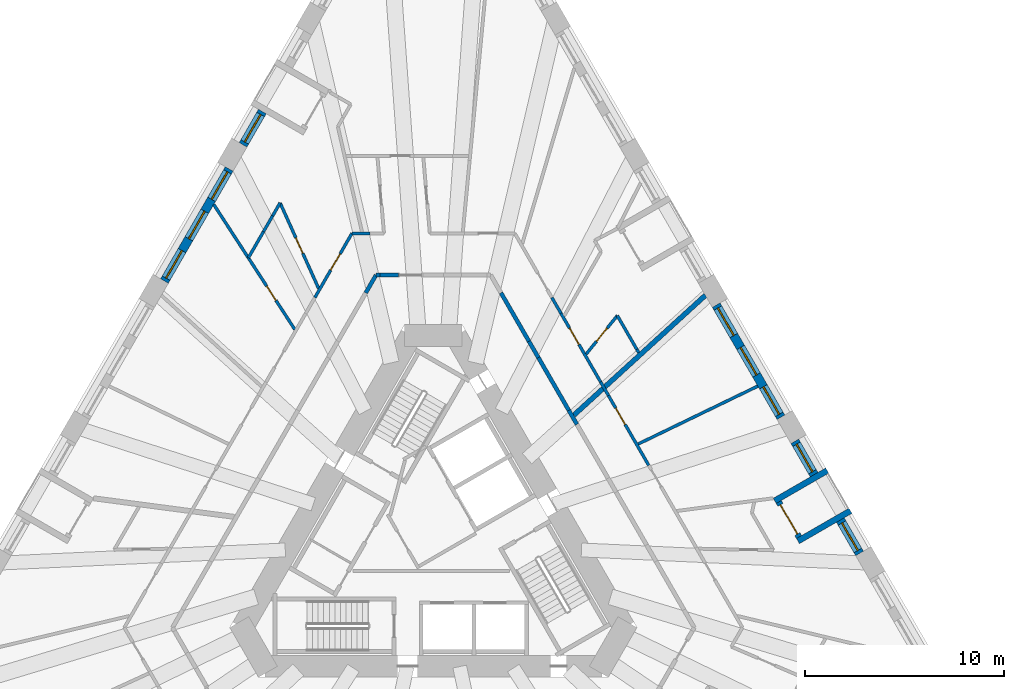
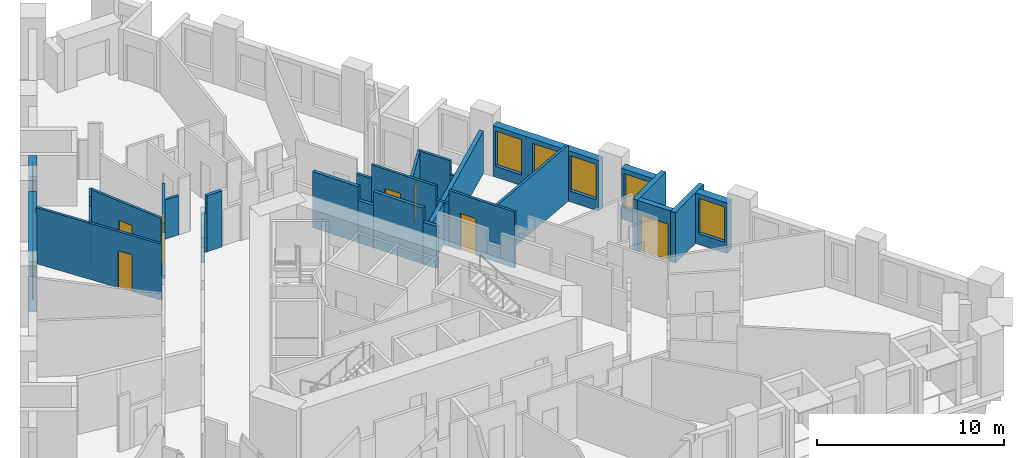
# One storey, part 8 of 14: 31 walls, 9 windows, 7 doors, 16 openings.
"""IFC4 building model written with IfcOpenShell, lengths in metres."""

import ifcopenshell
import ifcopenshell.guid

model = None  # the IFC model being written
_history = None  # IfcOwnerHistory: only IFC2X3 demands one
_inside = {}  # id of a spatial element -> (the spatial element, [elements in it])
_under = {}  # id of a project, library or spatial element -> (it, [spatial elements below it])
_declared = {}  # id of a project -> (the project, [libraries it declares])
_typed = {}  # id of a type object -> (the type object, [elements of that type])
_made_of = {}  # id of a material, layer set ... -> (it, [elements and type objects made of it])


def new_model(schema):
    """Start an empty IFC model of exactly this schema.

    Asked for "IFC4X3", IfcOpenShell would pick the latest addendum, in which some entities
    have other attributes; the version numbers below select the first issue.
    IFC2X3 requires an IfcOwnerHistory on every rooted entity: one is made here for all.
    """
    global model, _history
    if schema == "IFC4X3":
        model = ifcopenshell.file(schema_version=(4, 3, 0, 0))
    else:
        model = ifcopenshell.file(schema=schema)
    _inside.clear()
    _under.clear()
    _declared.clear()
    _typed.clear()
    _made_of.clear()
    _history = None
    if model.schema == "IFC2X3":
        org = make("IfcOrganization", Name="unknown")
        user = make(
            "IfcPersonAndOrganization",
            ThePerson=make("IfcPerson", FamilyName="unknown"),
            TheOrganization=org,
        )
        app = make(
            "IfcApplication",
            ApplicationDeveloper=org,
            Version="unknown",
            ApplicationFullName="unknown",
            ApplicationIdentifier="unknown",
        )
        _history = make(
            "IfcOwnerHistory",
            OwningUser=user,
            OwningApplication=app,
            ChangeAction="ADDED",
            CreationDate=0,
        )
    return model


def make(cls, **values):
    """One entity of the class cls with the attributes given. An attribute that is None is left unset."""
    return model.create_entity(
        cls, **{name: value for name, value in values.items() if value is not None}
    )


def rooted(cls, **values):
    """An entity with a GlobalId (a new one), such as an element, a storey or a relation."""
    return make(cls, GlobalId=ifcopenshell.guid.new(), OwnerHistory=_history, **values)


def si_unit(unit_type, name, prefix=None):
    """IfcSIUnit, for example si_unit("LENGTHUNIT", "METRE", prefix="MILLI")."""
    return make("IfcSIUnit", UnitType=unit_type, Prefix=prefix, Name=name)


def assignment(units):
    """IfcUnitAssignment: the units of a project."""
    return None if units is None else make("IfcUnitAssignment", Units=units)


def point(xyz):
    """IfcCartesianPoint."""
    return None if xyz is None else make("IfcCartesianPoint", Coordinates=xyz)


def direction(xyz):
    """IfcDirection."""
    return None if xyz is None else make("IfcDirection", DirectionRatios=xyz)


def frame(location, z_axis=None, x_axis=None):
    """IfcAxis2Placement3D, a coordinate frame: its origin and axes. An axis left out is left unset."""
    return make(
        "IfcAxis2Placement3D",
        Location=point(location),
        Axis=direction(z_axis),
        RefDirection=direction(x_axis),
    )


def frame_2d(location, x_axis=None):
    """IfcAxis2Placement2D, a coordinate frame in the plane: its origin and x axis."""
    return make(
        "IfcAxis2Placement2D", Location=point(location), RefDirection=direction(x_axis)
    )


def origin():
    """The frame at (0, 0, 0) with its axes left unset."""
    return frame((0.0, 0.0, 0.0))


def place(relative_to, where):
    """IfcLocalPlacement: puts the frame where relative to a parent placement (None: the world)."""
    return make(
        "IfcLocalPlacement", PlacementRelTo=relative_to, RelativePlacement=where
    )


def context(
    kind, dimensions, precision=None, world=None, true_north=None, identifier=None
):
    """IfcGeometricRepresentationContext, for example the 3D "Model" context."""
    return make(
        "IfcGeometricRepresentationContext",
        ContextIdentifier=identifier,
        ContextType=kind,
        CoordinateSpaceDimension=dimensions,
        Precision=precision,
        WorldCoordinateSystem=world,
        TrueNorth=true_north,
    )


def subcontext(parent, identifier, kind, view, scale=None):
    """IfcGeometricRepresentationSubContext, for example "Body" below "Model"."""
    return make(
        "IfcGeometricRepresentationSubContext",
        ContextIdentifier=identifier,
        ContextType=kind,
        ParentContext=parent,
        TargetScale=scale,
        TargetView=view,
    )


def project(units=None, contexts=None):
    """IfcProject with its units and contexts."""
    return rooted(
        "IfcProject",
        Name="project",
        RepresentationContexts=contexts,
        UnitsInContext=assignment(units),
    )


def spatial(cls, under=None, at=None, **own):
    """A site, building, storey or space (cls), placed at a placement, below another one or the project."""
    s = rooted(cls, ObjectPlacement=at, **own)
    if under is not None:
        _under.setdefault(under.id(), (under, []))[1].append(s)
    return s


def profile(cls, at=None, kind="AREA", **sizes):
    """A parametric profile (cls). Its sizes go by their IFC names, for example OverallWidth=200.0."""
    return make(cls, ProfileType=kind, Position=at, **sizes)


def rectangle(**sizes):
    """IfcRectangleProfileDef."""
    return profile("IfcRectangleProfileDef", **sizes)


def extrude(swept, where, along, depth):
    """IfcExtrudedAreaSolid: the profile swept, set in the frame where, extruded along a direction by depth."""
    return make(
        "IfcExtrudedAreaSolid",
        SweptArea=swept,
        Position=where,
        ExtrudedDirection=direction(along),
        Depth=depth,
    )


def shape(context_of_items, identifier, shape_type, items):
    """IfcShapeRepresentation: the items that make up one representation, for example the "Body"."""
    return make(
        "IfcShapeRepresentation",
        ContextOfItems=context_of_items,
        RepresentationIdentifier=identifier,
        RepresentationType=shape_type,
        Items=items,
    )


def material(Name=None, Category=None):
    """IfcMaterial."""
    return make("IfcMaterial", Name=Name, Category=Category)


def layer(
    of_material, thickness, ventilated=None, Name=None, Category=None, Priority=None
):
    """IfcMaterialLayer: one layer of a wall or slab, of a material (None: an air gap)."""
    return make(
        "IfcMaterialLayer",
        Material=of_material,
        LayerThickness=thickness,
        IsVentilated=ventilated,
        Name=Name,
        Category=Category,
        Priority=Priority,
    )


def layer_set(layers, Name=None):
    """IfcMaterialLayerSet."""
    return make("IfcMaterialLayerSet", MaterialLayers=layers, LayerSetName=Name)


def made_of(thing, what):
    """Note that an element or type object is made of a material, layer set ...; save() writes the relation."""
    if what is not None:
        _made_of.setdefault(what.id(), (what, []))[1].append(thing)
    return thing


def type_object(cls, material=None, **own):
    """A type object (cls), such as IfcWallType, which elements share."""
    return made_of(rooted(cls, **own), material)


def element(
    cls,
    number,
    at=None,
    inside=None,
    cuts=None,
    type_object=None,
    material=None,
    context=None,
    identifier="Body",
    shape_type=None,
    held_by="IfcProductDefinitionShape",
    body=None,
    shapes=None,
    **own,
):
    """One element of the class cls, such as IfcWall. Its Tag is "e" and its number.

    at: its placement. inside: the storey or other place that contains it. cuts: it is an
    opening in that element (IfcRelVoidsElement). A single representation is given by context,
    identifier, shape_type and body (its items); several are given by shapes. held_by: the class
    of the entity that holds the representations. save() writes the other relations.
    """
    e = rooted(cls, Tag="e%d" % number, ObjectPlacement=at, **own)
    if body is not None:
        shapes = [shape(context, identifier, shape_type, body)]
    if shapes is not None:
        e.Representation = make(held_by, Representations=shapes)
    if inside is not None:
        _inside.setdefault(inside.id(), (inside, []))[1].append(e)
    if cuts is not None:
        rooted(
            "IfcRelVoidsElement", RelatingBuildingElement=cuts, RelatedOpeningElement=e
        )
    if type_object is not None:
        _typed.setdefault(type_object.id(), (type_object, []))[1].append(e)
    return made_of(e, material)


def fill(opening, filler):
    """IfcRelFillsElement: the door or window that sits in an opening."""
    return rooted(
        "IfcRelFillsElement",
        RelatingOpeningElement=opening,
        RelatedBuildingElement=filler,
    )


def aggregate(whole, parts):
    """IfcRelAggregates: a whole, such as a stair, and the parts it consists of."""
    return rooted("IfcRelAggregates", RelatingObject=whole, RelatedObjects=parts)


def save(model, path):
    """Write the relations noted so far, then the file.

    IfcRelAggregates (storeys below a building ...), IfcRelContainedInSpatialStructure (elements
    in a storey), IfcRelDefinesByType, IfcRelAssociatesMaterial and IfcRelDeclares: one each for
    every whole, place, type object, material and project.
    """
    for whole, parts in _under.values():
        aggregate(whole, parts)
    for where, things in _inside.values():
        rooted(
            "IfcRelContainedInSpatialStructure",
            RelatedElements=things,
            RelatingStructure=where,
        )
    for kind, things in _typed.values():
        rooted("IfcRelDefinesByType", RelatedObjects=things, RelatingType=kind)
    for what, things in _made_of.values():
        rooted("IfcRelAssociatesMaterial", RelatedObjects=things, RelatingMaterial=what)
    for by, libraries in _declared.values():
        rooted("IfcRelDeclares", RelatingContext=by, RelatedDefinitions=libraries)
    model.write(path)


model = new_model("IFC4")

# Units and contexts
model_context = context("Model", 3, precision=1e-05, world=origin(), true_north=direction((0.0, 1.0)))
body_context = subcontext(model_context, "Body", "Model", "MODEL_VIEW")
ifc_project = project(units=[si_unit("LENGTHUNIT", "METRE"), si_unit("AREAUNIT", "SQUARE_METRE"), si_unit("VOLUMEUNIT", "CUBIC_METRE"), si_unit("PLANEANGLEUNIT", "RADIAN"), si_unit("MASSUNIT", "GRAM", prefix="KILO")], contexts=[model_context])

# Site, building, storey
site_placement = place(None, origin())
site = spatial("IfcSite", under=ifc_project, at=site_placement, CompositionType="ELEMENT")
building_placement = place(site_placement, origin())
building = spatial("IfcBuilding", under=site, at=building_placement, Name="Tramontana Tower", CompositionType="ELEMENT")
storey_placement = place(building_placement, frame((0.0, 0.0, 30.0)))
storey = spatial("IfcBuildingStorey", under=building, at=storey_placement, Name="L05", CompositionType="ELEMENT", Elevation=30.0)

# Walls
ifc_material_1 = material(Name="Blockwork", Category="masonry")
ifc_layer_1 = layer(ifc_material_1, 0.199951171875)
ifc_layer_set_1 = layer_set([ifc_layer_1], Name="ENTRY WALL 200")
wall_type_1 = type_object("IfcWallType", Name="ENTRY WALL 200", PredefinedType="SOLIDWALL", material=ifc_layer_set_1)
wall_1_placement = place(storey_placement, frame((3.404296875, 12.603515625, 0.0), z_axis=(0.0, 0.0, 1.0), x_axis=(0.500000186108, -0.866025296335, 0.0)))
element("IfcWall", 1, at=wall_1_placement, inside=storey, type_object=wall_type_1, Name="Wall v01-ew0-1", PredefinedType="SOLIDWALL", context=body_context, shape_type="SweptSolid", body=[
    extrude(rectangle(XDim=2.8154296875, YDim=0.199951171875, at=frame_2d((1.40771484375, 0.0))), origin(), (0.0, 0.0, 1.0), 3.64990234375),
])
wall_2_placement = place(storey_placement, frame((4.81201171875, 10.165283203125, 0.0), z_axis=(0.0, 0.0, 1.0), x_axis=(0.500174821557, -0.865924446982, 0.0)))
element("IfcWall", 2, at=wall_2_placement, inside=storey, type_object=wall_type_1, Name="Wall v01-ew0-2", PredefinedType="SOLIDWALL", context=body_context, shape_type="SweptSolid", body=[
    extrude(rectangle(XDim=0.949951171875, YDim=0.199951171875, at=frame_2d((0.47509765625, 0.0))), origin(), (0.0, 0.0, 1.0), 2.75),
])
wall_3_placement = place(storey_placement, frame((5.287109375, 9.3427734375, 0.0), z_axis=(0.0, 0.0, 1.0), x_axis=(0.499952348839, -0.866052913447, 0.0)))
element("IfcWall", 3, at=wall_3_placement, inside=storey, type_object=wall_type_1, Name="Wall v01-ew0-3", PredefinedType="SOLIDWALL", context=body_context, shape_type="SweptSolid", body=[
    extrude(rectangle(XDim=3.064208984375, YDim=0.199951171875, at=frame_2d((1.5322265625, 0.0))), origin(), (0.0, 0.0, 1.0), 3.64990234375),
])
wall_4_placement = place(storey_placement, frame((6.819091796875, 6.68896484375, 0.0), z_axis=(0.0, 0.0, 1.0), x_axis=(0.500118501653, -0.865956976012, 0.0)))
element("IfcWall", 4, at=wall_4_placement, inside=storey, type_object=wall_type_1, Name="Wall v01-ew0-4", PredefinedType="SOLIDWALL", context=body_context, shape_type="SweptSolid", body=[
    extrude(rectangle(XDim=0.818115234375, YDim=0.199951171875, at=frame_2d((0.4091796875, 0.0))), origin(), (0.0, 0.0, 1.0), 2.75),
])
wall_5_placement = place(storey_placement, frame((-3.404296875, 12.603515625, 0.0), z_axis=(0.0, 0.0, 1.0), x_axis=(0.499994660107, 0.866028486751, 0.0)))
element("IfcWall", 5, at=wall_5_placement, inside=storey, type_object=wall_type_1, Name="Wall v01-ew4-10", PredefinedType="SOLIDWALL", context=body_context, shape_type="SweptSolid", body=[
    extrude(rectangle(XDim=1.03515625, YDim=0.199951171875, at=frame_2d((0.517578125, 0.0))), origin(), (0.0, 0.0, 1.0), 2.550048828125),
])
wall_6_placement = place(storey_placement, frame((-2.88671875, 13.5, 0.0), z_axis=(0.0, 0.0, 1.0), x_axis=(1.0, 0.0, 0.0)))
element("IfcWall", 6, at=wall_6_placement, inside=storey, type_object=wall_type_1, Name="Wall v01-ew5-0", PredefinedType="SOLIDWALL", context=body_context, shape_type="SweptSolid", body=[
    extrude(rectangle(XDim=0.197265625, YDim=0.199951171875, at=frame_2d((0.0986328125, 0.0))), origin(), (0.0, 0.0, 1.0), 2.550048828125),
])
wall_7_placement = place(storey_placement, frame((-2.689453125, 13.5, 0.0), z_axis=(0.0, 0.0, 1.0), x_axis=(1.0, 0.0, 0.0)))
element("IfcWall", 7, at=wall_7_placement, inside=storey, type_object=wall_type_1, Name="Wall v01-ew5-1", PredefinedType="SOLIDWALL", context=body_context, shape_type="SweptSolid", body=[
    extrude(rectangle(XDim=0.936279296875, YDim=0.199951171875, at=frame_2d((0.46826171875, 0.0))), origin(), (0.0, 0.0, 1.0), 3.64990234375),
])

# Wall, opening, window
ifc_material_2 = material(Name="Precast concrete 60 MPa", Category="concrete")
ifc_layer_2 = layer(ifc_material_2, 0.449951171875)
ifc_layer_set_2 = layer_set([ifc_layer_2], Name="Precast concrete 60 MPa, 450 mm")
wall_type_2 = type_object("IfcWallType", Name="EW1 Stone-faced precast wall 450", PredefinedType="SOLIDWALL", material=ifc_layer_set_2)
wall_8_placement = place(storey_placement, frame((-8.61181640625, 21.73388671875, 0.0), z_axis=(0.0, 0.0, 1.0), x_axis=(-0.500038474733, -0.866003189247, 0.0)))
wall_8 = element("IfcWall", 8, at=wall_8_placement, inside=storey, type_object=wall_type_2, Name="External wall L05 face 0 bay 2", PredefinedType="SOLIDWALL", context=body_context, shape_type="SweptSolid", body=[
    extrude(rectangle(XDim=1.939208984375, YDim=0.449951171875, at=frame_2d((0.9697265625, 0.0))), origin(), (0.0, 0.0, 1.0), 3.300048828125),
])
opening_1_placement = place(wall_8_placement, frame((0.169677734375, 0.0, 0.699951171875)))
opening_1 = element("IfcOpeningElement", 9, at=opening_1_placement, cuts=wall_8, Name="Opening M1", PredefinedType="OPENING", context=body_context, shape_type="SweptSolid", body=[
    extrude(rectangle(XDim=1.60009765625, YDim=2.300048828125, at=frame_2d((0.800048828125, 1.14990234375))), frame((0.0, 0.23486328125, 0.0), z_axis=(0.0, -1.0, 0.0), x_axis=(1.0, 0.0, 0.0)), (0.0, 0.0, 1.0), 0.469970703125),
])
ifc_material_3 = material(Name="Aluminum frame, double glazing unit", Category="aluminium")
window_type = type_object("IfcWindowType", Name="M1 Window 1.6 x 2.3", PartitioningType="SINGLE_PANEL", PredefinedType="WINDOW", material=ifc_material_3)
window_1_placement = place(opening_1_placement, origin())
window_1 = element("IfcWindow", 10, at=window_1_placement, inside=storey, type_object=window_type, Name="Window M1 L05 face 0 module 6", OverallHeight=2.300048828125, OverallWidth=1.60009765625, PartitioningType="SINGLE_PANEL", PredefinedType="WINDOW", context=body_context, shape_type="SweptSolid", body=[
    extrude(rectangle(XDim=1.60009765625, YDim=2.300048828125, at=frame_2d((0.800048828125, 1.14990234375))), frame((0.0, 0.030029296875, 0.0), z_axis=(0.0, -1.0, 0.0), x_axis=(1.0, 0.0, 0.0)), (0.0, 0.0, 1.0), 0.06005859375),
])
fill(opening_1, window_1)

# Wall, openings, windows
wall_9_placement = place(storey_placement, frame((-10.281494140625, 18.842041015625, 0.0), z_axis=(0.0, 0.0, 1.0), x_axis=(-0.500002371706, -0.866024034475, 0.0)))
wall_9 = element("IfcWall", 11, at=wall_9_placement, inside=storey, type_object=wall_type_2, Name="External wall L05 face 0 bay 3", PredefinedType="SOLIDWALL", context=body_context, shape_type="SweptSolid", body=[
    extrude(rectangle(XDim=6.51806640625, YDim=0.449951171875, at=frame_2d((3.259033203125, 0.0))), origin(), (0.0, 0.0, 1.0), 3.300048828125),
])
opening_2_placement = place(wall_9_placement, frame((0.169677734375, 0.0, 0.699951171875)))
opening_2 = element("IfcOpeningElement", 12, at=opening_2_placement, cuts=wall_9, Name="Opening M1", PredefinedType="OPENING", context=body_context, shape_type="SweptSolid", body=[
    extrude(rectangle(XDim=1.60009765625, YDim=2.300048828125, at=frame_2d((0.800048828125, 1.14990234375))), frame((0.0, 0.23486328125, 0.0), z_axis=(0.0, -1.0, 0.0), x_axis=(1.0, 0.0, 0.0)), (0.0, 0.0, 1.0), 0.469970703125),
])
opening_3_placement = place(wall_9_placement, frame((2.458984375, 0.0, 0.699951171875)))
opening_3 = element("IfcOpeningElement", 13, at=opening_3_placement, cuts=wall_9, Name="Opening M1", PredefinedType="OPENING", context=body_context, shape_type="SweptSolid", body=[
    extrude(rectangle(XDim=1.60009765625, YDim=2.300048828125, at=frame_2d((0.800048828125, 1.14990234375))), frame((0.0, 0.23486328125, 0.0), z_axis=(0.0, -1.0, 0.0), x_axis=(1.0, 0.0, 0.0)), (0.0, 0.0, 1.0), 0.469970703125),
])
opening_4_placement = place(wall_9_placement, frame((4.748291015625, 0.0, 0.699951171875)))
opening_4 = element("IfcOpeningElement", 14, at=opening_4_placement, cuts=wall_9, Name="Opening M1", PredefinedType="OPENING", context=body_context, shape_type="SweptSolid", body=[
    extrude(rectangle(XDim=1.60009765625, YDim=2.300048828125, at=frame_2d((0.800048828125, 1.14990234375))), frame((0.0, 0.23486328125, 0.0), z_axis=(0.0, -1.0, 0.0), x_axis=(1.0, 0.0, 0.0)), (0.0, 0.0, 1.0), 0.469970703125),
])
window_2_placement = place(opening_2_placement, origin())
window_2 = element("IfcWindow", 15, at=window_2_placement, inside=storey, type_object=window_type, Name="Window M1 L05 face 0 module 7", OverallHeight=2.300048828125, OverallWidth=1.60009765625, PartitioningType="SINGLE_PANEL", PredefinedType="WINDOW", context=body_context, shape_type="SweptSolid", body=[
    extrude(rectangle(XDim=1.60009765625, YDim=2.300048828125, at=frame_2d((0.800048828125, 1.14990234375))), frame((0.0, 0.030029296875, 0.0), z_axis=(0.0, -1.0, 0.0), x_axis=(1.0, 0.0, 0.0)), (0.0, 0.0, 1.0), 0.06005859375),
])
fill(opening_2, window_2)
window_3_placement = place(opening_3_placement, origin())
window_3 = element("IfcWindow", 16, at=window_3_placement, inside=storey, type_object=window_type, Name="Window M1 L05 face 0 module 8", OverallHeight=2.300048828125, OverallWidth=1.60009765625, PartitioningType="SINGLE_PANEL", PredefinedType="WINDOW", context=body_context, shape_type="SweptSolid", body=[
    extrude(rectangle(XDim=1.60009765625, YDim=2.300048828125, at=frame_2d((0.800048828125, 1.14990234375))), frame((0.0, 0.030029296875, 0.0), z_axis=(0.0, -1.0, 0.0), x_axis=(1.0, 0.0, 0.0)), (0.0, 0.0, 1.0), 0.06005859375),
])
fill(opening_3, window_3)
window_4_placement = place(opening_4_placement, origin())
window_4 = element("IfcWindow", 17, at=window_4_placement, inside=storey, type_object=window_type, Name="Window M1 L05 face 0 module 9", OverallHeight=2.300048828125, OverallWidth=1.60009765625, PartitioningType="SINGLE_PANEL", PredefinedType="WINDOW", context=body_context, shape_type="SweptSolid", body=[
    extrude(rectangle(XDim=1.60009765625, YDim=2.300048828125, at=frame_2d((0.800048828125, 1.14990234375))), frame((0.0, 0.030029296875, 0.0), z_axis=(0.0, -1.0, 0.0), x_axis=(1.0, 0.0, 0.0)), (0.0, 0.0, 1.0), 0.06005859375),
])
fill(opening_4, window_4)

# Wall, opening, window
wall_10_placement = place(storey_placement, frame((21.45849609375, -0.51708984375, 0.0), z_axis=(0.0, 0.0, 1.0), x_axis=(-0.49998396455, 0.866034661658, 0.0)))
wall_10 = element("IfcWall", 18, at=wall_10_placement, inside=storey, type_object=wall_type_2, Name="External wall L05 face 2 bay 3", PredefinedType="SOLIDWALL", context=body_context, shape_type="SweptSolid", body=[
    extrude(rectangle(XDim=1.939453125, YDim=0.449951171875, at=frame_2d((0.9697265625, 0.0))), origin(), (0.0, 0.0, 1.0), 3.300048828125),
])
opening_5_placement = place(wall_10_placement, frame((0.169677734375, 0.0, 0.699951171875)))
opening_5 = element("IfcOpeningElement", 19, at=opening_5_placement, cuts=wall_10, Name="Opening M1", PredefinedType="OPENING", context=body_context, shape_type="SweptSolid", body=[
    extrude(rectangle(XDim=1.60009765625, YDim=2.300048828125, at=frame_2d((0.800048828125, 1.14990234375))), frame((0.0, 0.23486328125, 0.0), z_axis=(0.0, -1.0, 0.0), x_axis=(1.0, 0.0, 0.0)), (0.0, 0.0, 1.0), 0.469970703125),
])
window_5_placement = place(opening_5_placement, origin())
window_5 = element("IfcWindow", 20, at=window_5_placement, inside=storey, type_object=window_type, Name="Window M1 L05 face 2 module 7", OverallHeight=2.300048828125, OverallWidth=1.60009765625, PartitioningType="SINGLE_PANEL", PredefinedType="WINDOW", context=body_context, shape_type="SweptSolid", body=[
    extrude(rectangle(XDim=1.60009765625, YDim=2.300048828125, at=frame_2d((0.800048828125, 1.14990234375))), frame((0.0, 0.030029296875, 0.0), z_axis=(0.0, -1.0, 0.0), x_axis=(1.0, 0.0, 0.0)), (0.0, 0.0, 1.0), 0.06005859375),
])
fill(opening_5, window_5)

wall_11_placement = place(storey_placement, frame((19.1689453125, 3.4482421875, 0.0), z_axis=(0.0, 0.0, 1.0), x_axis=(-0.499944052521, 0.866057702667, 0.0)))
wall_11 = element("IfcWall", 21, at=wall_11_placement, inside=storey, type_object=wall_type_2, Name="External wall L05 face 2 bay 3", PredefinedType="SOLIDWALL", context=body_context, shape_type="SweptSolid", body=[
    extrude(rectangle(XDim=1.939208984375, YDim=0.449951171875, at=frame_2d((0.9697265625, 0.0))), origin(), (0.0, 0.0, 1.0), 3.300048828125),
])
opening_6_placement = place(wall_11_placement, frame((0.169677734375, 0.0, 0.699951171875)))
opening_6 = element("IfcOpeningElement", 22, at=opening_6_placement, cuts=wall_11, Name="Opening M1", PredefinedType="OPENING", context=body_context, shape_type="SweptSolid", body=[
    extrude(rectangle(XDim=1.60009765625, YDim=2.300048828125, at=frame_2d((0.800048828125, 1.14990234375))), frame((0.0, 0.23486328125, 0.0), z_axis=(0.0, -1.0, 0.0), x_axis=(1.0, 0.0, 0.0)), (0.0, 0.0, 1.0), 0.469970703125),
])
window_6_placement = place(opening_6_placement, origin())
window_6 = element("IfcWindow", 23, at=window_6_placement, inside=storey, type_object=window_type, Name="Window M1 L05 face 2 module 9", OverallHeight=2.300048828125, OverallWidth=1.60009765625, PartitioningType="SINGLE_PANEL", PredefinedType="WINDOW", context=body_context, shape_type="SweptSolid", body=[
    extrude(rectangle(XDim=1.60009765625, YDim=2.300048828125, at=frame_2d((0.800048828125, 1.14990234375))), frame((0.0, 0.030029296875, 0.0), z_axis=(0.0, -1.0, 0.0), x_axis=(1.0, 0.0, 0.0)), (0.0, 0.0, 1.0), 0.06005859375),
])
fill(opening_6, window_6)

# Wall, openings, windows
wall_12_placement = place(storey_placement, frame((17.49951171875, 6.340087890625, 0.0), z_axis=(0.0, 0.0, 1.0), x_axis=(-0.500002371706, 0.866024034475, 0.0)))
wall_12 = element("IfcWall", 24, at=wall_12_placement, inside=storey, type_object=wall_type_2, Name="External wall L05 face 2 bay 4", PredefinedType="SOLIDWALL", context=body_context, shape_type="SweptSolid", body=[
    extrude(rectangle(XDim=6.51806640625, YDim=0.449951171875, at=frame_2d((3.259033203125, 0.0))), origin(), (0.0, 0.0, 1.0), 3.300048828125),
])
opening_7_placement = place(wall_12_placement, frame((0.169677734375, 0.0, 0.699951171875)))
opening_7 = element("IfcOpeningElement", 25, at=opening_7_placement, cuts=wall_12, Name="Opening M1", PredefinedType="OPENING", context=body_context, shape_type="SweptSolid", body=[
    extrude(rectangle(XDim=1.60009765625, YDim=2.300048828125, at=frame_2d((0.800048828125, 1.14990234375))), frame((0.0, 0.23486328125, 0.0), z_axis=(0.0, -1.0, 0.0), x_axis=(1.0, 0.0, 0.0)), (0.0, 0.0, 1.0), 0.469970703125),
])
opening_8_placement = place(wall_12_placement, frame((2.458984375, 0.0, 0.699951171875)))
opening_8 = element("IfcOpeningElement", 26, at=opening_8_placement, cuts=wall_12, Name="Opening M1", PredefinedType="OPENING", context=body_context, shape_type="SweptSolid", body=[
    extrude(rectangle(XDim=1.60009765625, YDim=2.300048828125, at=frame_2d((0.800048828125, 1.14990234375))), frame((0.0, 0.23486328125, 0.0), z_axis=(0.0, -1.0, 0.0), x_axis=(1.0, 0.0, 0.0)), (0.0, 0.0, 1.0), 0.469970703125),
])
opening_9_placement = place(wall_12_placement, frame((4.748291015625, 0.0, 0.699951171875)))
opening_9 = element("IfcOpeningElement", 27, at=opening_9_placement, cuts=wall_12, Name="Opening M1", PredefinedType="OPENING", context=body_context, shape_type="SweptSolid", body=[
    extrude(rectangle(XDim=1.60009765625, YDim=2.300048828125, at=frame_2d((0.800048828125, 1.14990234375))), frame((0.0, 0.23486328125, 0.0), z_axis=(0.0, -1.0, 0.0), x_axis=(1.0, 0.0, 0.0)), (0.0, 0.0, 1.0), 0.469970703125),
])
window_7_placement = place(opening_7_placement, origin())
window_7 = element("IfcWindow", 28, at=window_7_placement, inside=storey, type_object=window_type, Name="Window M1 L05 face 2 module 10", OverallHeight=2.300048828125, OverallWidth=1.60009765625, PartitioningType="SINGLE_PANEL", PredefinedType="WINDOW", context=body_context, shape_type="SweptSolid", body=[
    extrude(rectangle(XDim=1.60009765625, YDim=2.300048828125, at=frame_2d((0.800048828125, 1.14990234375))), frame((0.0, 0.030029296875, 0.0), z_axis=(0.0, -1.0, 0.0), x_axis=(1.0, 0.0, 0.0)), (0.0, 0.0, 1.0), 0.06005859375),
])
fill(opening_7, window_7)
window_8_placement = place(opening_8_placement, origin())
window_8 = element("IfcWindow", 29, at=window_8_placement, inside=storey, type_object=window_type, Name="Window M1 L05 face 2 module 11", OverallHeight=2.300048828125, OverallWidth=1.60009765625, PartitioningType="SINGLE_PANEL", PredefinedType="WINDOW", context=body_context, shape_type="SweptSolid", body=[
    extrude(rectangle(XDim=1.60009765625, YDim=2.300048828125, at=frame_2d((0.800048828125, 1.14990234375))), frame((0.0, 0.030029296875, 0.0), z_axis=(0.0, -1.0, 0.0), x_axis=(1.0, 0.0, 0.0)), (0.0, 0.0, 1.0), 0.06005859375),
])
fill(opening_8, window_8)
window_9_placement = place(opening_9_placement, origin())
window_9 = element("IfcWindow", 30, at=window_9_placement, inside=storey, type_object=window_type, Name="Window M1 L05 face 2 module 12", OverallHeight=2.300048828125, OverallWidth=1.60009765625, PartitioningType="SINGLE_PANEL", PredefinedType="WINDOW", context=body_context, shape_type="SweptSolid", body=[
    extrude(rectangle(XDim=1.60009765625, YDim=2.300048828125, at=frame_2d((0.800048828125, 1.14990234375))), frame((0.0, 0.030029296875, 0.0), z_axis=(0.0, -1.0, 0.0), x_axis=(1.0, 0.0, 0.0)), (0.0, 0.0, 1.0), 0.06005859375),
])
fill(opening_9, window_9)

# Wall, opening, door
ifc_material_4 = material(Name="Precast concrete 60 MPa", Category="concrete")
ifc_layer_3 = layer(ifc_material_4, 0.300048828125)
ifc_layer_set_3 = layer_set([ifc_layer_3], Name="LW1 Stone-faced loggia wall 300")
wall_type_3 = type_object("IfcWallType", Name="LW1 Stone-faced loggia wall 300", PredefinedType="SOLIDWALL", material=ifc_layer_set_3)
wall_13_placement = place(storey_placement, frame((18.411865234375, 0.309814453125, 0.0), z_axis=(0.0, 0.0, 1.0), x_axis=(-0.500040236659, 0.866002171892, 0.0)))
wall_13 = element("IfcWall", 31, at=wall_13_placement, inside=storey, type_object=wall_type_3, Name="Loggia wall L05 G0S2.7", PredefinedType="SOLIDWALL", context=body_context, shape_type="SweptSolid", body=[
    extrude(rectangle(XDim=2.039306640625, YDim=0.300048828125, at=frame_2d((1.01953125, 0.0))), origin(), (0.0, 0.0, 1.0), 3.300048828125),
])
opening_10_placement = place(wall_13_placement, frame((0.169677734375, 0.0, 0.0)))
opening_10 = element("IfcOpeningElement", 32, at=opening_10_placement, cuts=wall_13, Name="Opening BD-0S2-07", PredefinedType="OPENING", context=body_context, shape_type="SweptSolid", body=[
    extrude(rectangle(XDim=1.699951171875, YDim=2.39990234375, at=frame_2d((0.85009765625, 1.199951171875))), frame((0.0, 0.159912109375, 0.0), z_axis=(0.0, -1.0, 0.0), x_axis=(1.0, 0.0, 0.0)), (0.0, 0.0, 1.0), 0.320068359375),
])
ifc_material_5 = material(Name="Aluminum frame, double glazing unit", Category="aluminium")
door_type_1 = type_object("IfcDoorType", Name="BD1 Sliding door 1.7 x 2.4", OperationType="SLIDING_TO_LEFT", PredefinedType="DOOR", material=ifc_material_5)
door_1_placement = place(opening_10_placement, origin())
door_1 = element("IfcDoor", 33, at=door_1_placement, inside=storey, type_object=door_type_1, Name="Loggia door L05 G0S2.7", OperationType="SLIDING_TO_LEFT", OverallHeight=2.39990234375, OverallWidth=1.699951171875, PredefinedType="DOOR", context=body_context, shape_type="SweptSolid", body=[
    extrude(rectangle(XDim=1.699951171875, YDim=2.39990234375, at=frame_2d((0.85009765625, 1.199951171875))), frame((0.0, 0.02490234375, 0.0), z_axis=(0.0, -1.0, 0.0), x_axis=(1.0, 0.0, 0.0)), (0.0, 0.0, 1.0), 0.050048828125),
])
fill(opening_10, door_1)

# Walls
for number, where, z_axis, x_axis, name in (
    (34, (20.998291015625, 1.6298828125, 0.0), (0.0, 0.0, 1.0), (-0.866037623948, -0.499978833458, 0.0), "Loggia return L05 G0S2.7a"),
    (35, (19.82861328125, 3.65576171875, 0.0), (0.0, 0.0, 1.0), (-0.866037623948, -0.499978833458, 0.0), "Loggia return L05 G0S2.7b"),
):
    element("IfcWall", number, at=place(storey_placement, frame(where, z_axis=z_axis, x_axis=x_axis)), inside=storey, type_object=wall_type_3, Name=name, PredefinedType="SOLIDWALL", context=body_context, shape_type="SweptSolid", body=[
        extrude(rectangle(XDim=3.050048828125, YDim=0.300048828125, at=frame_2d((1.52490234375, 0.0))), origin(), (0.0, 0.0, 1.0), 3.300048828125),
    ])

# Wall, opening, door
ifc_material_6 = material(Name="Gypsum board partition")
ifc_layer_4 = layer(ifc_material_6, 0.14990234375)
ifc_layer_set_4 = layer_set([ifc_layer_4], Name="PARTITION 150")
wall_type_4 = type_object("IfcWallType", Name="PARTITION 150", PredefinedType="PARTITIONING", material=ifc_layer_set_4)
wall_14_placement = place(storey_placement, frame((-5.9658203125, 12.366943359375, 0.0), z_axis=(0.0, 0.0, 1.0), x_axis=(0.500007375767, 0.866021145342, 0.0)))
wall_14 = element("IfcWall", 36, at=wall_14_placement, inside=storey, type_object=wall_type_4, Name="Wall v01-pw07-8", PredefinedType="PARTITIONING", context=body_context, shape_type="SweptSolid", body=[
    extrude(rectangle(XDim=3.7333984375, YDim=0.14990234375, at=frame_2d((1.86669921875, 0.0))), origin(), (0.0, 0.0, 1.0), 3.64990234375),
])
opening_11_placement = place(wall_14_placement, frame((1.59228515625, 0.0, 0.0)))
opening_11 = element("IfcOpeningElement", 37, at=opening_11_placement, cuts=wall_14, Name="Opening B0B-07", PredefinedType="OPENING", context=body_context, shape_type="SweptSolid", body=[
    extrude(rectangle(XDim=0.949951171875, YDim=2.39990234375, at=frame_2d((0.47509765625, 1.199951171875))), frame((0.0, 0.0849609375, 0.0), z_axis=(0.0, -1.0, 0.0), x_axis=(1.0, 0.0, 0.0)), (0.0, 0.0, 1.0), 0.169921875),
])
ifc_material_7 = material(Name="Painted timber", Category="wood")
door_type_2 = type_object("IfcDoorType", Name="DOOR ROOM 950", OperationType="SINGLE_SWING_LEFT", PredefinedType="DOOR", material=ifc_material_7)
door_2_placement = place(opening_11_placement, origin())
door_2 = element("IfcDoor", 38, at=door_2_placement, inside=storey, type_object=door_type_2, Name="Door B0B-07", OperationType="SINGLE_SWING_LEFT", OverallHeight=2.39990234375, OverallWidth=0.949951171875, PredefinedType="DOOR", context=body_context, shape_type="SweptSolid", body=[
    extrude(rectangle(XDim=0.949951171875, YDim=2.39990234375, at=frame_2d((0.47509765625, 1.199951171875))), frame((0.0, 0.02490234375, 0.0), z_axis=(0.0, -1.0, 0.0), x_axis=(1.0, 0.0, 0.0)), (0.0, 0.0, 1.0), 0.050048828125),
])
fill(opening_11, door_2)

# Walls
wall_15_placement = place(storey_placement, frame((-9.313720703125, 14.3681640625, 0.0), z_axis=(0.0, 0.0, 1.0), x_axis=(0.500014901547, 0.866016800201, 0.0)))
element("IfcWall", 39, at=wall_15_placement, inside=storey, type_object=wall_type_4, Name="Wall v01-pw17-0", PredefinedType="PARTITIONING", context=body_context, shape_type="SweptSolid", body=[
    extrude(rectangle(XDim=1.517578125, YDim=0.14990234375, at=frame_2d((0.7587890625, 0.0))), origin(), (0.0, 0.0, 1.0), 3.64990234375),
])
wall_16_placement = place(storey_placement, frame((-8.554931640625, 15.682373046875, 0.0), z_axis=(0.0, 0.0, 1.0), x_axis=(0.499990325971, 0.866030989016, 0.0)))
element("IfcWall", 40, at=wall_16_placement, inside=storey, type_object=wall_type_4, Name="Wall v01-pw17-1", PredefinedType="PARTITIONING", context=body_context, shape_type="SweptSolid", body=[
    extrude(rectangle(XDim=0.92041015625, YDim=0.14990234375, at=frame_2d((0.460205078125, 0.0))), origin(), (0.0, 0.0, 1.0), 2.75),
])
wall_17_placement = place(storey_placement, frame((-8.0947265625, 16.4794921875, 0.0), z_axis=(0.0, 0.0, 1.0), x_axis=(0.499825074184, 0.866126373699, 0.0)))
element("IfcWall", 41, at=wall_17_placement, inside=storey, type_object=wall_type_4, Name="Wall v01-pw17-2", PredefinedType="PARTITIONING", context=body_context, shape_type="SweptSolid", body=[
    extrude(rectangle(XDim=0.755126953125, YDim=0.14990234375, at=frame_2d((0.37744140625, 0.0))), origin(), (0.0, 0.0, 1.0), 3.64990234375),
])

# Wall, opening, door
wall_18_placement = place(storey_placement, frame((-5.781494140625, 12.8359375, 0.0), z_axis=(0.0, 0.0, 1.0), x_axis=(-0.410694166508, 0.911773163455, 0.0)))
wall_18 = element("IfcWall", 42, at=wall_18_placement, inside=storey, type_object=wall_type_4, Name="Wall v01-pw20", PredefinedType="PARTITIONING", context=body_context, shape_type="SweptSolid", body=[
    extrude(rectangle(XDim=4.71337890625, YDim=0.14990234375, at=frame_2d((2.356689453125, 0.0))), origin(), (0.0, 0.0, 1.0), 3.64990234375),
])
opening_12_placement = place(wall_18_placement, frame((1.931640625, 0.0, 0.0)))
opening_12 = element("IfcOpeningElement", 43, at=opening_12_placement, cuts=wall_18, Name="Opening B0B-12", PredefinedType="OPENING", context=body_context, shape_type="SweptSolid", body=[
    extrude(rectangle(XDim=0.85009765625, YDim=2.39990234375, at=frame_2d((0.425048828125, 1.199951171875))), frame((0.0, 0.0849609375, 0.0), z_axis=(0.0, -1.0, 0.0), x_axis=(1.0, 0.0, 0.0)), (0.0, 0.0, 1.0), 0.169921875),
])
ifc_material_8 = material(Name="Painted timber", Category="wood")
door_type_3 = type_object("IfcDoorType", Name="DOOR BATH 850", OperationType="SINGLE_SWING_LEFT", PredefinedType="DOOR", material=ifc_material_8)
door_3_placement = place(opening_12_placement, origin())
door_3 = element("IfcDoor", 44, at=door_3_placement, inside=storey, type_object=door_type_3, Name="Door B0B-12", OperationType="SINGLE_SWING_RIGHT", OverallHeight=2.39990234375, OverallWidth=0.85009765625, PredefinedType="DOOR", context=body_context, shape_type="SweptSolid", body=[
    extrude(rectangle(XDim=0.85009765625, YDim=2.39990234375, at=frame_2d((0.425048828125, 1.199951171875))), frame((0.0, 0.02490234375, 0.0), z_axis=(0.0, -1.0, 0.0), x_axis=(1.0, 0.0, 0.0)), (0.0, 0.0, 1.0), 0.050048828125),
])
fill(opening_12, door_3)

wall_19_placement = place(storey_placement, frame((-11.05615234375, 17.050048828125, 0.0), z_axis=(0.0, 0.0, 1.0), x_axis=(0.544077690049, -0.839034842656, 0.0)))
wall_19 = element("IfcWall", 45, at=wall_19_placement, inside=storey, type_object=wall_type_4, Name="Wall v01-pw21", PredefinedType="PARTITIONING", context=body_context, shape_type="SweptSolid", body=[
    extrude(rectangle(XDim=7.494140625, YDim=0.14990234375, at=frame_2d((3.7470703125, 0.0))), origin(), (0.0, 0.0, 1.0), 3.64990234375),
])
opening_13_placement = place(wall_19_placement, frame((4.901123046875, 0.0, 0.0)))
opening_13 = element("IfcOpeningElement", 46, at=opening_13_placement, cuts=wall_19, Name="Opening B0B-13", PredefinedType="OPENING", context=body_context, shape_type="SweptSolid", body=[
    extrude(rectangle(XDim=0.85009765625, YDim=2.39990234375, at=frame_2d((0.425048828125, 1.199951171875))), frame((0.0, 0.0849609375, 0.0), z_axis=(0.0, -1.0, 0.0), x_axis=(1.0, 0.0, 0.0)), (0.0, 0.0, 1.0), 0.169921875),
])
door_4_placement = place(opening_13_placement, origin())
door_4 = element("IfcDoor", 47, at=door_4_placement, inside=storey, type_object=door_type_3, Name="Door B0B-13", OperationType="SINGLE_SWING_LEFT", OverallHeight=2.39990234375, OverallWidth=0.85009765625, PredefinedType="DOOR", context=body_context, shape_type="SweptSolid", body=[
    extrude(rectangle(XDim=0.85009765625, YDim=2.39990234375, at=frame_2d((0.425048828125, 1.199951171875))), frame((0.0, 0.02490234375, 0.0), z_axis=(0.0, -1.0, 0.0), x_axis=(1.0, 0.0, 0.0)), (0.0, 0.0, 1.0), 0.050048828125),
])
fill(opening_13, door_4)

# Walls
wall_20_placement = place(storey_placement, frame((-4.09912109375, 15.60009765625, 0.0), z_axis=(0.0, 0.0, 1.0), x_axis=(1.0, 0.0, 0.0)))
element("IfcWall", 48, at=wall_20_placement, inside=storey, type_object=wall_type_4, Name="Wall v01-pw27-0", PredefinedType="PARTITIONING", context=body_context, shape_type="SweptSolid", body=[
    extrude(rectangle(XDim=0.906494140625, YDim=0.14990234375, at=frame_2d((0.453125, 0.0))), origin(), (0.0, 0.0, 1.0), 2.550048828125),
])
wall_21_placement = place(storey_placement, frame((5.9658203125, 12.366943359375, 0.0), z_axis=(0.0, 0.0, 1.0), x_axis=(0.499990325971, -0.866030989016, 0.0)))
element("IfcWall", 49, at=wall_21_placement, inside=storey, type_object=wall_type_4, Name="Wall v01-pw35-1", PredefinedType="PARTITIONING", context=body_context, shape_type="SweptSolid", body=[
    extrude(rectangle(XDim=0.92041015625, YDim=0.14990234375, at=frame_2d((0.460205078125, 0.0))), origin(), (0.0, 0.0, 1.0), 2.75),
])

# Wall, opening, door
wall_22_placement = place(storey_placement, frame((6.426025390625, 11.56982421875, 0.0), z_axis=(0.0, 0.0, 1.0), x_axis=(0.500010364181, -0.866019419939, 0.0)))
wall_22 = element("IfcWall", 50, at=wall_22_placement, inside=storey, type_object=wall_type_4, Name="Wall v01-pw35-2", PredefinedType="PARTITIONING", context=body_context, shape_type="SweptSolid", body=[
    extrude(rectangle(XDim=3.98828125, YDim=0.14990234375, at=frame_2d((1.994140625, 0.0))), origin(), (0.0, 0.0, 1.0), 3.64990234375),
])
opening_14_placement = place(wall_22_placement, frame((0.860595703125, 0.0, 0.0)))
opening_14 = element("IfcOpeningElement", 51, at=opening_14_placement, cuts=wall_22, Name="Opening B0B-06", PredefinedType="OPENING", context=body_context, shape_type="SweptSolid", body=[
    extrude(rectangle(XDim=0.949951171875, YDim=2.39990234375, at=frame_2d((0.47509765625, 1.199951171875))), frame((0.0, 0.0849609375, 0.0), z_axis=(0.0, -1.0, 0.0), x_axis=(1.0, 0.0, 0.0)), (0.0, 0.0, 1.0), 0.169921875),
])
door_5_placement = place(opening_14_placement, origin())
door_5 = element("IfcDoor", 52, at=door_5_placement, inside=storey, type_object=door_type_2, Name="Door B0B-06", OperationType="SINGLE_SWING_RIGHT", OverallHeight=2.39990234375, OverallWidth=0.949951171875, PredefinedType="DOOR", context=body_context, shape_type="SweptSolid", body=[
    extrude(rectangle(XDim=0.949951171875, YDim=2.39990234375, at=frame_2d((0.47509765625, 1.199951171875))), frame((0.0, 0.02490234375, 0.0), z_axis=(0.0, -1.0, 0.0), x_axis=(1.0, 0.0, 0.0)), (0.0, 0.0, 1.0), 0.050048828125),
])
fill(opening_14, door_5)

# Wall
wall_23_placement = place(storey_placement, frame((8.420166015625, 8.115966796875, 0.0), z_axis=(0.0, 0.0, 1.0), x_axis=(0.500015802937, -0.866016279763, 0.0)))
element("IfcWall", 53, at=wall_23_placement, inside=storey, type_object=wall_type_4, Name="Wall v01-pw35-3", PredefinedType="PARTITIONING", context=body_context, shape_type="SweptSolid", body=[
    extrude(rectangle(XDim=0.79248046875, YDim=0.14990234375, at=frame_2d((0.396240234375, 0.0))), origin(), (0.0, 0.0, 1.0), 2.75),
])

# Wall, opening, door
wall_24_placement = place(storey_placement, frame((8.81640625, 7.4296875, 0.0), z_axis=(0.0, 0.0, 1.0), x_axis=(0.500007556608, -0.866021040931, 0.0)))
wall_24 = element("IfcWall", 54, at=wall_24_placement, inside=storey, type_object=wall_type_4, Name="Wall v01-pw35-4", PredefinedType="PARTITIONING", context=body_context, shape_type="SweptSolid", body=[
    extrude(rectangle(XDim=4.05224609375, YDim=0.14990234375, at=frame_2d((2.026123046875, 0.0))), origin(), (0.0, 0.0, 1.0), 3.64990234375),
])
opening_15_placement = place(wall_24_placement, frame((0.72509765625, 0.0, 0.0)))
opening_15 = element("IfcOpeningElement", 55, at=opening_15_placement, cuts=wall_24, Name="Opening B0B-32", PredefinedType="OPENING", context=body_context, shape_type="SweptSolid", body=[
    extrude(rectangle(XDim=0.949951171875, YDim=2.39990234375, at=frame_2d((0.47509765625, 1.199951171875))), frame((0.0, 0.0849609375, 0.0), z_axis=(0.0, -1.0, 0.0), x_axis=(1.0, 0.0, 0.0)), (0.0, 0.0, 1.0), 0.169921875),
])
door_6_placement = place(opening_15_placement, origin())
door_6 = element("IfcDoor", 56, at=door_6_placement, inside=storey, type_object=door_type_2, Name="Door B0B-32", OperationType="SINGLE_SWING_RIGHT", OverallHeight=2.39990234375, OverallWidth=0.949951171875, PredefinedType="DOOR", context=body_context, shape_type="SweptSolid", body=[
    extrude(rectangle(XDim=0.949951171875, YDim=2.39990234375, at=frame_2d((0.47509765625, 1.199951171875))), frame((0.0, 0.02490234375, 0.0), z_axis=(0.0, -1.0, 0.0), x_axis=(1.0, 0.0, 0.0)), (0.0, 0.0, 1.0), 0.050048828125),
])
fill(opening_15, door_6)

wall_25_placement = place(storey_placement, frame((9.26171875, 11.45849609375, 0.0), z_axis=(0.0, 0.0, 1.0), x_axis=(-0.628642714077, -0.77769424457, 0.0)))
wall_25 = element("IfcWall", 57, at=wall_25_placement, inside=storey, type_object=wall_type_4, Name="Wall v01-pw37", PredefinedType="PARTITIONING", context=body_context, shape_type="SweptSolid", body=[
    extrude(rectangle(XDim=2.491455078125, YDim=0.14990234375, at=frame_2d((1.24560546875, 0.0))), origin(), (0.0, 0.0, 1.0), 3.64990234375),
])
opening_16_placement = place(wall_25_placement, frame((0.820556640625, 0.0, 0.0)))
opening_16 = element("IfcOpeningElement", 58, at=opening_16_placement, cuts=wall_25, Name="Opening B0B-11", PredefinedType="OPENING", context=body_context, shape_type="SweptSolid", body=[
    extrude(rectangle(XDim=0.85009765625, YDim=2.39990234375, at=frame_2d((0.425048828125, 1.199951171875))), frame((0.0, 0.0849609375, 0.0), z_axis=(0.0, -1.0, 0.0), x_axis=(1.0, 0.0, 0.0)), (0.0, 0.0, 1.0), 0.169921875),
])
door_7_placement = place(opening_16_placement, origin())
door_7 = element("IfcDoor", 59, at=door_7_placement, inside=storey, type_object=door_type_3, Name="Door B0B-11", OperationType="SINGLE_SWING_LEFT", OverallHeight=2.39990234375, OverallWidth=0.85009765625, PredefinedType="DOOR", context=body_context, shape_type="SweptSolid", body=[
    extrude(rectangle(XDim=0.85009765625, YDim=2.39990234375, at=frame_2d((0.425048828125, 1.199951171875))), frame((0.0, 0.02490234375, 0.0), z_axis=(0.0, -1.0, 0.0), x_axis=(1.0, 0.0, 0.0)), (0.0, 0.0, 1.0), 0.050048828125),
])
fill(opening_16, door_7)

# Walls
wall_26_placement = place(storey_placement, frame((9.26171875, 11.45849609375, 0.0), z_axis=(0.0, 0.0, 1.0), x_axis=(0.499927144463, -0.866067462862, 0.0)))
element("IfcWall", 60, at=wall_26_placement, inside=storey, type_object=wall_type_4, Name="Wall v01-pw41-0", PredefinedType="PARTITIONING", context=body_context, shape_type="SweptSolid", body=[
    extrude(rectangle(XDim=1.961669921875, YDim=0.14990234375, at=frame_2d((0.98095703125, 0.0))), origin(), (0.0, 0.0, 1.0), 3.64990234375),
])
wall_27_placement = place(storey_placement, frame((10.242431640625, 9.759521484375, 0.0), z_axis=(0.0, 0.0, 1.0), x_axis=(0.499902762748, -0.86608153646, 0.0)))
element("IfcWall", 61, at=wall_27_placement, inside=storey, type_object=wall_type_4, Name="Wall v01-pw41-1", PredefinedType="PARTITIONING", context=body_context, shape_type="SweptSolid", body=[
    extrude(rectangle(XDim=0.1953125, YDim=0.14990234375, at=frame_2d((0.09765625, 0.0))), origin(), (0.0, 0.0, 1.0), 2.75),
])
wall_28_placement = place(storey_placement, frame((10.310791015625, 4.9912109375, 0.0), z_axis=(0.0, 0.0, 1.0), x_axis=(0.900095112933, 0.435693456084, 0.0)))
element("IfcWall", 62, at=wall_28_placement, inside=storey, type_object=wall_type_4, Name="Wall v01-pw43", PredefinedType="PARTITIONING", context=body_context, shape_type="SweptSolid", body=[
    extrude(rectangle(XDim=6.69287109375, YDim=0.14990234375, at=frame_2d((3.346435546875, 0.0))), origin(), (0.0, 0.0, 1.0), 3.64990234375),
])
ifc_material_9 = material(Name="Blockwork", Category="masonry")
ifc_layer_5 = layer(ifc_material_9, 0.25)
ifc_layer_set_5 = layer_set([ifc_layer_5], Name="PARTY WALL 250")
wall_type_5 = type_object("IfcWallType", Name="PARTY WALL 250", PredefinedType="SOLIDWALL", material=ifc_layer_set_5)
wall_29_placement = place(storey_placement, frame((13.695556640625, 12.478515625, 0.0), z_axis=(0.0, 0.0, 1.0), x_axis=(-0.739188496913, -0.673498601358, 0.0)))
element("IfcWall", 63, at=wall_29_placement, inside=storey, type_object=wall_type_5, Name="Wall v01-pw47-0", PredefinedType="SOLIDWALL", context=body_context, shape_type="SweptSolid", body=[
    extrude(rectangle(XDim=8.95703125, YDim=0.25, at=frame_2d((4.478515625, 0.0))), origin(), (0.0, 0.0, 1.0), 2.75),
])

save(model, "model.ifc")
